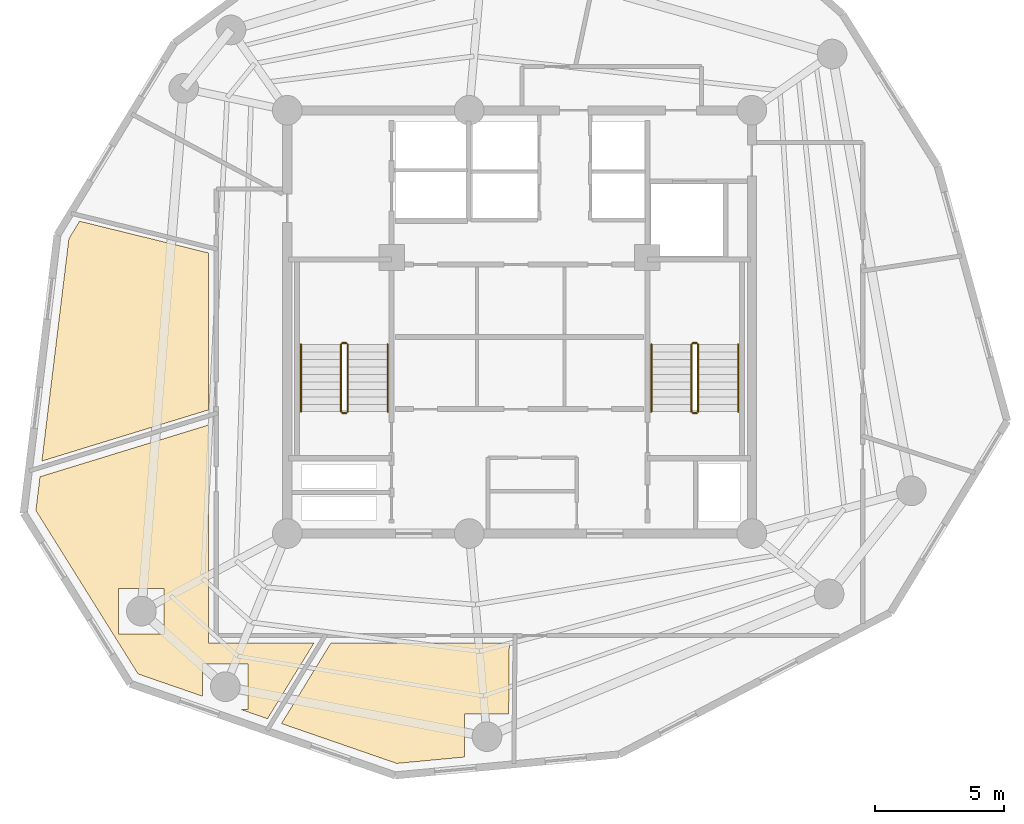
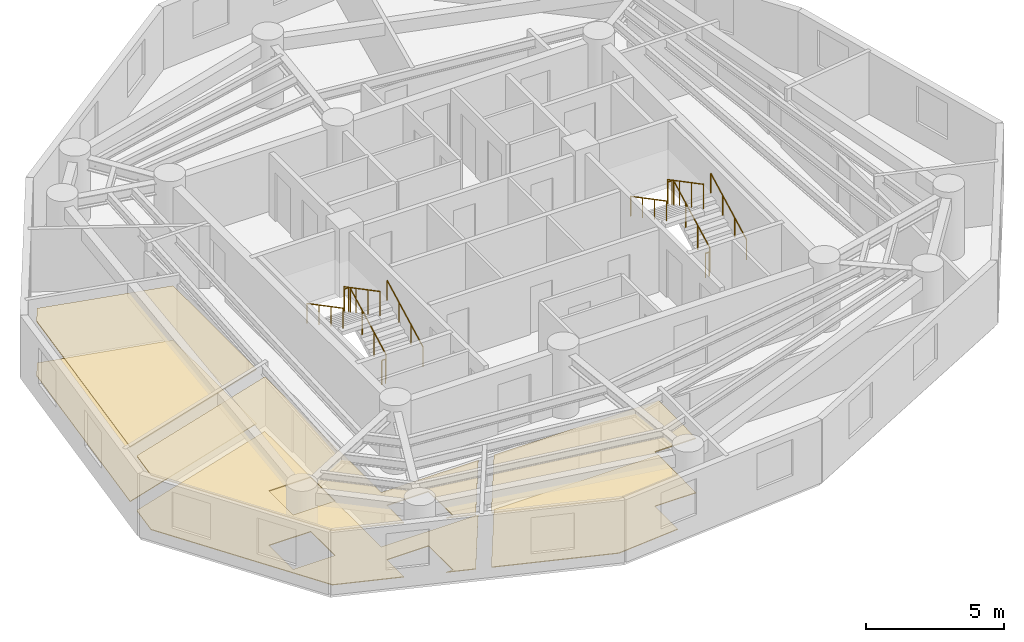
# One storey, part 6 of 6: 12 railings, 6 coverings.
"""IFC4 building model written with IfcOpenShell, lengths in metres."""

from ifc_helpers import new_model, si_unit, direction, frame, origin, origin_2d, place, context, subcontext, project, spatial, polyline, circle, outline, extrude, material, layer, layer_set, type_object, element, save


model = new_model("IFC4")

# Units and contexts
model_context = context("Model", 3, precision=1e-05, world=origin(), true_north=direction((0.0, 1.0)))
body_context = subcontext(model_context, "Body", "Model", "MODEL_VIEW")
ifc_project = project(units=[si_unit("LENGTHUNIT", "METRE"), si_unit("AREAUNIT", "SQUARE_METRE"), si_unit("VOLUMEUNIT", "CUBIC_METRE"), si_unit("PLANEANGLEUNIT", "RADIAN"), si_unit("MASSUNIT", "GRAM", prefix="KILO")], contexts=[model_context])

# Site, building, storey
site_placement = place(None, origin())
site = spatial("IfcSite", under=ifc_project, at=site_placement, CompositionType="ELEMENT")
building_placement = place(site_placement, origin())
building = spatial("IfcBuilding", under=site, at=building_placement, Name="Karkom Vertical University and Central Library", CompositionType="ELEMENT")
storey_placement = place(building_placement, frame((0.0, 0.0, 265.699951171875)))
storey = spatial("IfcBuildingStorey", under=building, at=storey_placement, Name="L79", CompositionType="ELEMENT", Elevation=265.699951171875)

# Coverings
ifc_material_1 = material(Name="Perforated mineral-fibre & timber-slat acoustic ceiling", Category="wood")
ifc_layer_1 = layer(ifc_material_1, 0.044921875)
ifc_layer_set_1 = layer_set([ifc_layer_1], Name="Perforated mineral-fibre & timber-slat acoustic ceiling")
covering_type_1 = type_object("IfcCoveringType", Name="INT-COV-CEIL", PredefinedType="CEILING", material=ifc_layer_set_1)
covering_1_placement = place(storey_placement, frame((0.0, 0.0, 2.405029296875)))
element("IfcCovering", 1, at=covering_1_placement, inside=storey, type_object=covering_type_1, Name="Level 79 Suspended Acoustic Ceiling L79-01", PredefinedType="CEILING", context=body_context, shape_type="SweptSolid", body=[
    extrude(outline(polyline([(9.993408203125, 21.10888671875), (11.03955078125, 29.72265625), (11.453369140625, 30.40185546875), (16.449951171875, 29.173583984375), (16.449951171875, 23.092041015625), (9.993408203125, 21.10888671875)])), origin(), (0.0, 0.0, 1.0), 0.044921875),
])
covering_2_placement = place(storey_placement, frame((0.0, 0.0, 2.405029296875)))
element("IfcCovering", 2, at=covering_2_placement, inside=storey, type_object=covering_type_1, Name="Level 79 Suspended Acoustic Ceiling L79-02", PredefinedType="CEILING", context=body_context, shape_type="SweptSolid", body=[
    extrude(outline(polyline([(13.718017578125, 12.860595703125), (9.760986328125, 19.193115234375), (9.919677734375, 20.50048828125), (16.449951171875, 22.506103515625), (16.449951171875, 14.050048828125), (20.52978515625, 14.050048828125), (18.734619140625, 11.125732421875), (17.692626953125, 11.486083984375), (17.98291015625, 11.486083984375), (17.98291015625, 13.24609375), (16.222900390625, 13.24609375), (16.222900390625, 11.994140625), (13.718017578125, 12.860595703125)]), holes=[polyline([(14.72900390625, 14.4150390625), (14.72900390625, 16.175048828125), (12.968994140625, 16.175048828125), (12.968994140625, 14.4150390625), (14.72900390625, 14.4150390625)])]), origin(), (0.0, 0.0, 1.0), 0.044921875),
])
covering_3_placement = place(storey_placement, frame((0.0, 0.0, 2.405029296875)))
element("IfcCovering", 3, at=covering_3_placement, inside=storey, type_object=covering_type_1, Name="Level 79 Suspended Acoustic Ceiling L79-03", PredefinedType="CEILING", context=body_context, shape_type="SweptSolid", body=[
    extrude(outline(polyline([(19.276611328125, 10.938232421875), (21.186767578125, 14.050048828125), (28.10400390625, 14.050048828125), (28.07861328125, 11.31005859375), (26.35888671875, 11.31005859375), (26.35888671875, 9.63916015625), (23.742431640625, 9.393798828125), (19.276611328125, 10.938232421875)])), origin(), (0.0, 0.0, 1.0), 0.044921875),
])
ifc_material_2 = material(Name="Honed Kota limestone & terrazzo flooring", Category="masonry")
ifc_layer_2 = layer(ifc_material_2, 0.030029296875)
ifc_layer_set_2 = layer_set([ifc_layer_2], Name="Honed Kota limestone & terrazzo flooring")
covering_type_2 = type_object("IfcCoveringType", Name="INT-COV-FLOOR", PredefinedType="FLOORING", material=ifc_layer_set_2)
covering_4_placement = place(storey_placement, origin())
element("IfcCovering", 4, at=covering_4_placement, inside=storey, type_object=covering_type_2, Name="Level 79 Kota Stone Floor Finish L79-01", PredefinedType="FLOORING", context=body_context, shape_type="SweptSolid", body=[
    extrude(outline(polyline([(9.993408203125, 21.10888671875), (11.03955078125, 29.72265625), (11.453369140625, 30.40185546875), (16.449951171875, 29.173583984375), (16.449951171875, 23.092041015625), (9.993408203125, 21.10888671875)])), origin(), (0.0, 0.0, 1.0), 0.030029296875),
])
covering_5_placement = place(storey_placement, origin())
element("IfcCovering", 5, at=covering_5_placement, inside=storey, type_object=covering_type_2, Name="Level 79 Kota Stone Floor Finish L79-02", PredefinedType="FLOORING", context=body_context, shape_type="SweptSolid", body=[
    extrude(outline(polyline([(13.718017578125, 12.860595703125), (9.760986328125, 19.193115234375), (9.919677734375, 20.50048828125), (16.449951171875, 22.506103515625), (16.449951171875, 14.050048828125), (20.52978515625, 14.050048828125), (18.734619140625, 11.125732421875), (17.692626953125, 11.486083984375), (17.98291015625, 11.486083984375), (17.98291015625, 13.24609375), (16.222900390625, 13.24609375), (16.222900390625, 11.994140625), (13.718017578125, 12.860595703125)]), holes=[polyline([(14.72900390625, 14.4150390625), (14.72900390625, 16.175048828125), (12.968994140625, 16.175048828125), (12.968994140625, 14.4150390625), (14.72900390625, 14.4150390625)])]), origin(), (0.0, 0.0, 1.0), 0.030029296875),
])
covering_6_placement = place(storey_placement, origin())
element("IfcCovering", 6, at=covering_6_placement, inside=storey, type_object=covering_type_2, Name="Level 79 Kota Stone Floor Finish L79-03", PredefinedType="FLOORING", context=body_context, shape_type="SweptSolid", body=[
    extrude(outline(polyline([(19.276611328125, 10.938232421875), (21.186767578125, 14.050048828125), (28.10400390625, 14.050048828125), (28.07861328125, 11.31005859375), (26.35888671875, 11.31005859375), (26.35888671875, 9.63916015625), (23.742431640625, 9.393798828125), (19.276611328125, 10.938232421875)])), origin(), (0.0, 0.0, 1.0), 0.030029296875),
])

# Railings
ifc_material_3 = material(Name="Painted galvanised steel balustrade", Category="steel")
ifc_layer_3 = layer(ifc_material_3, 0.06005859375)
ifc_layer_set_3 = layer_set([ifc_layer_3], Name="Painted galvanised steel balustrade")
railing_type_1 = type_object("IfcRailingType", Name="INT-RL-GUARD1100", PredefinedType="GUARDRAIL", material=ifc_layer_set_3)
railing_1_placement = place(storey_placement, frame((21.840087890625, 23.02001953125, 0.152587890625)))
element("IfcRailing", 7, at=railing_1_placement, inside=storey, type_object=railing_type_1, Name="Level 79 ST-1 stair guard 1", PredefinedType="GUARDRAIL", context=body_context, shape_type="SweptSolid", body=[
    extrude(circle(Radius=0.02392578125, at=origin_2d()), frame((0.0, 0.0, 1.076171875), z_axis=(0.0, 0.885065446896, 0.46546659892), x_axis=(-1.0, 0.0, 0.0)), (0.0, 0.0, 1.0), 2.94873046875),
    extrude(circle(Radius=0.02099609375, at=origin_2d()), origin(), (0.0, 0.0, 1.0), 1.052001953125),
    extrude(circle(Radius=0.02099609375, at=origin_2d()), frame((0.0, 0.869873046875, 0.45751953125)), (0.0, 0.0, 1.0), 1.052001953125),
    extrude(circle(Radius=0.02099609375, at=origin_2d()), frame((0.0, 1.739990234375, 0.9150390625)), (0.0, 0.0, 1.0), 1.052001953125),
    extrude(circle(Radius=0.02099609375, at=origin_2d()), frame((0.0, 2.60986328125, 1.37255859375)), (0.0, 0.0, 1.0), 1.052001953125),
])
railing_2_placement = place(storey_placement, frame((21.7900390625, 25.679931640625, 1.525146484375)))
element("IfcRailing", 8, at=railing_2_placement, inside=storey, type_object=railing_type_1, Name="Level 79 ST-1 stair guard 2", PredefinedType="GUARDRAIL", context=body_context, shape_type="SweptSolid", body=[
    extrude(circle(Radius=0.02392578125, at=origin_2d()), frame((0.0, 0.0, 1.076171875), z_axis=(-1.0, 0.0, 0.0), x_axis=(0.0, -1.0, 0.0)), (0.0, 0.0, 1.0), 0.16015625),
    extrude(circle(Radius=0.02099609375, at=origin_2d()), origin(), (0.0, 0.0, 1.0), 1.052001953125),
    extrude(circle(Radius=0.02099609375, at=origin_2d()), frame((-0.16015625, 0.0, 0.0)), (0.0, 0.0, 1.0), 1.052001953125),
])
railing_3_placement = place(storey_placement, frame((21.580078125, 25.6298828125, 1.677490234375)))
element("IfcRailing", 9, at=railing_3_placement, inside=storey, type_object=railing_type_1, Name="Level 79 ST-1 stair guard 3", PredefinedType="GUARDRAIL", context=body_context, shape_type="SweptSolid", body=[
    extrude(circle(Radius=0.02392578125, at=origin_2d()), frame((0.0, 0.0, 1.076171875), z_axis=(0.0, -0.885065446896, 0.46546659892), x_axis=(1.0, 0.0, 0.0)), (0.0, 0.0, 1.0), 2.94873046875),
    extrude(circle(Radius=0.02099609375, at=origin_2d()), origin(), (0.0, 0.0, 1.0), 1.052001953125),
    extrude(circle(Radius=0.02099609375, at=origin_2d()), frame((0.0, -0.869873046875, 0.45751953125)), (0.0, 0.0, 1.0), 1.052001953125),
    extrude(circle(Radius=0.02099609375, at=origin_2d()), frame((0.0, -1.739990234375, 0.9150390625)), (0.0, 0.0, 1.0), 1.052001953125),
    extrude(circle(Radius=0.02099609375, at=origin_2d()), frame((0.0, -2.60986328125, 1.37255859375)), (0.0, 0.0, 1.0), 1.052001953125),
])
railing_4_placement = place(storey_placement, frame((21.7900390625, 22.969970703125, 0.0)))
element("IfcRailing", 10, at=railing_4_placement, inside=storey, type_object=railing_type_1, Name="Level 79 ST-1 stair guard 4", PredefinedType="GUARDRAIL", context=body_context, shape_type="SweptSolid", body=[
    extrude(circle(Radius=0.02392578125, at=origin_2d()), frame((0.0, 0.0, 1.076171875), z_axis=(-1.0, 0.0, 0.0), x_axis=(0.0, -1.0, 0.0)), (0.0, 0.0, 1.0), 0.16015625),
    extrude(circle(Radius=0.02099609375, at=origin_2d()), origin(), (0.0, 0.0, 1.0), 1.052001953125),
    extrude(circle(Radius=0.02099609375, at=origin_2d()), frame((-0.16015625, 0.0, 0.0)), (0.0, 0.0, 1.0), 1.052001953125),
])
railing_5_placement = place(storey_placement, frame((35.419921875, 23.02001953125, 0.152587890625)))
element("IfcRailing", 11, at=railing_5_placement, inside=storey, type_object=railing_type_1, Name="Level 79 ST-2 stair guard 1", PredefinedType="GUARDRAIL", context=body_context, shape_type="SweptSolid", body=[
    extrude(circle(Radius=0.02392578125, at=origin_2d()), frame((0.0, 0.0, 1.076171875), z_axis=(0.0, 0.885065446896, 0.46546659892), x_axis=(-1.0, 0.0, 0.0)), (0.0, 0.0, 1.0), 2.94873046875),
    extrude(circle(Radius=0.02099609375, at=origin_2d()), origin(), (0.0, 0.0, 1.0), 1.052001953125),
    extrude(circle(Radius=0.02099609375, at=origin_2d()), frame((0.0, 0.869873046875, 0.45751953125)), (0.0, 0.0, 1.0), 1.052001953125),
    extrude(circle(Radius=0.02099609375, at=origin_2d()), frame((0.0, 1.739990234375, 0.9150390625)), (0.0, 0.0, 1.0), 1.052001953125),
    extrude(circle(Radius=0.02099609375, at=origin_2d()), frame((0.0, 2.60986328125, 1.37255859375)), (0.0, 0.0, 1.0), 1.052001953125),
])
railing_6_placement = place(storey_placement, frame((35.3701171875, 25.679931640625, 1.525146484375)))
element("IfcRailing", 12, at=railing_6_placement, inside=storey, type_object=railing_type_1, Name="Level 79 ST-2 stair guard 2", PredefinedType="GUARDRAIL", context=body_context, shape_type="SweptSolid", body=[
    extrude(circle(Radius=0.02392578125, at=origin_2d()), frame((0.0, 0.0, 1.076171875), z_axis=(-1.0, 0.0, 0.0), x_axis=(0.0, -1.0, 0.0)), (0.0, 0.0, 1.0), 0.16015625),
    extrude(circle(Radius=0.02099609375, at=origin_2d()), origin(), (0.0, 0.0, 1.0), 1.052001953125),
    extrude(circle(Radius=0.02099609375, at=origin_2d()), frame((-0.16015625, 0.0, 0.0)), (0.0, 0.0, 1.0), 1.052001953125),
])
railing_7_placement = place(storey_placement, frame((35.159912109375, 25.6298828125, 1.677490234375)))
element("IfcRailing", 13, at=railing_7_placement, inside=storey, type_object=railing_type_1, Name="Level 79 ST-2 stair guard 3", PredefinedType="GUARDRAIL", context=body_context, shape_type="SweptSolid", body=[
    extrude(circle(Radius=0.02392578125, at=origin_2d()), frame((0.0, 0.0, 1.076171875), z_axis=(0.0, -0.885065446896, 0.46546659892), x_axis=(1.0, 0.0, 0.0)), (0.0, 0.0, 1.0), 2.94873046875),
    extrude(circle(Radius=0.02099609375, at=origin_2d()), origin(), (0.0, 0.0, 1.0), 1.052001953125),
    extrude(circle(Radius=0.02099609375, at=origin_2d()), frame((0.0, -0.869873046875, 0.45751953125)), (0.0, 0.0, 1.0), 1.052001953125),
    extrude(circle(Radius=0.02099609375, at=origin_2d()), frame((0.0, -1.739990234375, 0.9150390625)), (0.0, 0.0, 1.0), 1.052001953125),
    extrude(circle(Radius=0.02099609375, at=origin_2d()), frame((0.0, -2.60986328125, 1.37255859375)), (0.0, 0.0, 1.0), 1.052001953125),
])
railing_8_placement = place(storey_placement, frame((35.3701171875, 22.969970703125, 0.0)))
element("IfcRailing", 14, at=railing_8_placement, inside=storey, type_object=railing_type_1, Name="Level 79 ST-2 stair guard 4", PredefinedType="GUARDRAIL", context=body_context, shape_type="SweptSolid", body=[
    extrude(circle(Radius=0.02392578125, at=origin_2d()), frame((0.0, 0.0, 1.076171875), z_axis=(-1.0, 0.0, 0.0), x_axis=(0.0, -1.0, 0.0)), (0.0, 0.0, 1.0), 0.16015625),
    extrude(circle(Radius=0.02099609375, at=origin_2d()), origin(), (0.0, 0.0, 1.0), 1.052001953125),
    extrude(circle(Radius=0.02099609375, at=origin_2d()), frame((-0.16015625, 0.0, 0.0)), (0.0, 0.0, 1.0), 1.052001953125),
])
ifc_material_4 = material(Name="Brushed stainless-steel tubular handrail", Category="steel")
ifc_layer_4 = layer(ifc_material_4, 0.048095703125)
ifc_layer_set_4 = layer_set([ifc_layer_4], Name="Brushed stainless-steel tubular handrail")
railing_type_2 = type_object("IfcRailingType", Name="INT-RL-HAND920", PredefinedType="HANDRAIL", material=ifc_layer_set_4)
railing_9_placement = place(storey_placement, frame((23.389892578125, 23.02001953125, 0.152587890625)))
element("IfcRailing", 15, at=railing_9_placement, inside=storey, type_object=railing_type_2, Name="Level 79 ST-1 stair handrail 1", PredefinedType="HANDRAIL", context=body_context, shape_type="SweptSolid", body=[
    extrude(circle(Radius=0.02392578125, at=origin_2d()), frame((0.0, 0.0, 0.8759765625), z_axis=(0.0, 0.885065446896, 0.46546659892), x_axis=(-1.0, 0.0, 0.0)), (0.0, 0.0, 1.0), 2.94873046875),
    extrude(circle(Radius=0.02099609375, at=origin_2d()), origin(), (0.0, 0.0, 1.0), 0.851806640625),
    extrude(circle(Radius=0.02099609375, at=origin_2d()), frame((0.0, 0.869873046875, 0.45751953125)), (0.0, 0.0, 1.0), 0.851806640625),
    extrude(circle(Radius=0.02099609375, at=origin_2d()), frame((0.0, 1.739990234375, 0.9150390625)), (0.0, 0.0, 1.0), 0.851806640625),
    extrude(circle(Radius=0.02099609375, at=origin_2d()), frame((0.0, 2.60986328125, 1.37255859375)), (0.0, 0.0, 1.0), 0.851806640625),
])
railing_10_placement = place(storey_placement, frame((20.030029296875, 25.6298828125, 1.677490234375)))
element("IfcRailing", 16, at=railing_10_placement, inside=storey, type_object=railing_type_2, Name="Level 79 ST-1 stair handrail 2", PredefinedType="HANDRAIL", context=body_context, shape_type="SweptSolid", body=[
    extrude(circle(Radius=0.02392578125, at=origin_2d()), frame((0.0, 0.0, 0.8759765625), z_axis=(0.0, -0.885065446896, 0.46546659892), x_axis=(1.0, 0.0, 0.0)), (0.0, 0.0, 1.0), 2.94873046875),
    extrude(circle(Radius=0.02099609375, at=origin_2d()), origin(), (0.0, 0.0, 1.0), 0.851806640625),
    extrude(circle(Radius=0.02099609375, at=origin_2d()), frame((0.0, -0.869873046875, 0.45751953125)), (0.0, 0.0, 1.0), 0.851806640625),
    extrude(circle(Radius=0.02099609375, at=origin_2d()), frame((0.0, -1.739990234375, 0.9150390625)), (0.0, 0.0, 1.0), 0.851806640625),
    extrude(circle(Radius=0.02099609375, at=origin_2d()), frame((0.0, -2.60986328125, 1.37255859375)), (0.0, 0.0, 1.0), 0.851806640625),
])
railing_11_placement = place(storey_placement, frame((36.969970703125, 23.02001953125, 0.152587890625)))
element("IfcRailing", 17, at=railing_11_placement, inside=storey, type_object=railing_type_2, Name="Level 79 ST-2 stair handrail 1", PredefinedType="HANDRAIL", context=body_context, shape_type="SweptSolid", body=[
    extrude(circle(Radius=0.02392578125, at=origin_2d()), frame((0.0, 0.0, 0.8759765625), z_axis=(0.0, 0.885065446896, 0.46546659892), x_axis=(-1.0, 0.0, 0.0)), (0.0, 0.0, 1.0), 2.94873046875),
    extrude(circle(Radius=0.02099609375, at=origin_2d()), origin(), (0.0, 0.0, 1.0), 0.851806640625),
    extrude(circle(Radius=0.02099609375, at=origin_2d()), frame((0.0, 0.869873046875, 0.45751953125)), (0.0, 0.0, 1.0), 0.851806640625),
    extrude(circle(Radius=0.02099609375, at=origin_2d()), frame((0.0, 1.739990234375, 0.9150390625)), (0.0, 0.0, 1.0), 0.851806640625),
    extrude(circle(Radius=0.02099609375, at=origin_2d()), frame((0.0, 2.60986328125, 1.37255859375)), (0.0, 0.0, 1.0), 0.851806640625),
])
railing_12_placement = place(storey_placement, frame((33.610107421875, 25.6298828125, 1.677490234375)))
element("IfcRailing", 18, at=railing_12_placement, inside=storey, type_object=railing_type_2, Name="Level 79 ST-2 stair handrail 2", PredefinedType="HANDRAIL", context=body_context, shape_type="SweptSolid", body=[
    extrude(circle(Radius=0.02392578125, at=origin_2d()), frame((0.0, 0.0, 0.8759765625), z_axis=(0.0, -0.885065446896, 0.46546659892), x_axis=(1.0, 0.0, 0.0)), (0.0, 0.0, 1.0), 2.94873046875),
    extrude(circle(Radius=0.02099609375, at=origin_2d()), origin(), (0.0, 0.0, 1.0), 0.851806640625),
    extrude(circle(Radius=0.02099609375, at=origin_2d()), frame((0.0, -0.869873046875, 0.45751953125)), (0.0, 0.0, 1.0), 0.851806640625),
    extrude(circle(Radius=0.02099609375, at=origin_2d()), frame((0.0, -1.739990234375, 0.9150390625)), (0.0, 0.0, 1.0), 0.851806640625),
    extrude(circle(Radius=0.02099609375, at=origin_2d()), frame((0.0, -2.60986328125, 1.37255859375)), (0.0, 0.0, 1.0), 0.851806640625),
])

save(model, "model.ifc")
